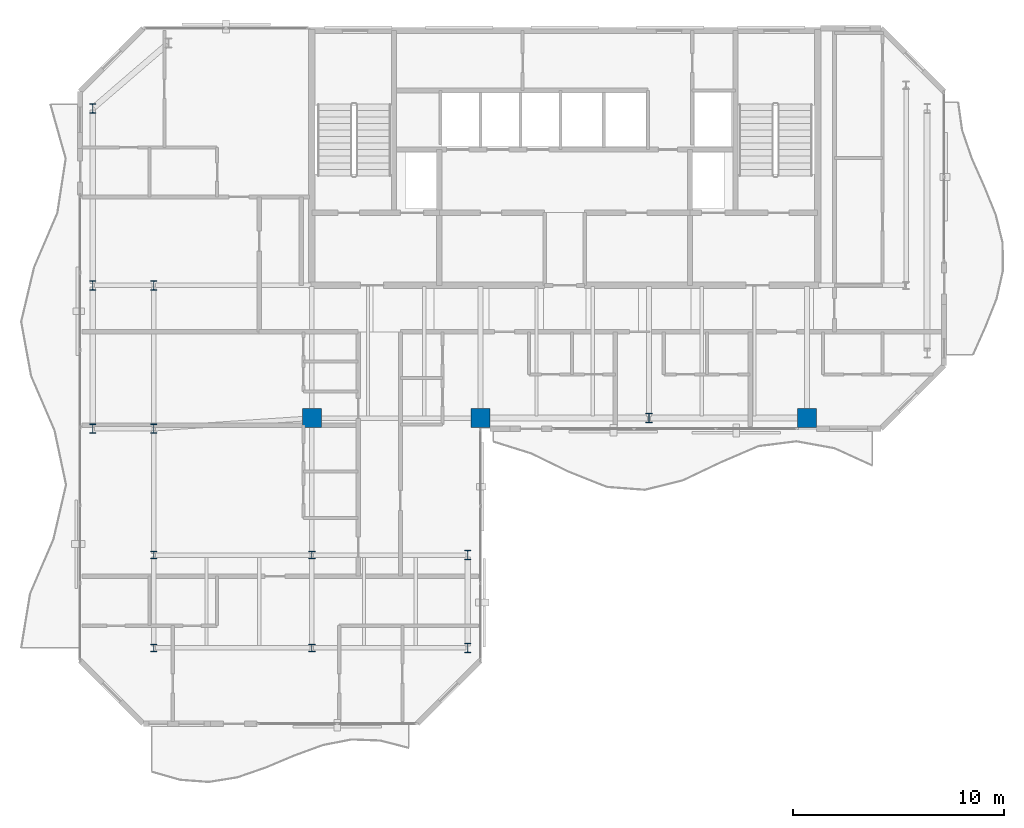
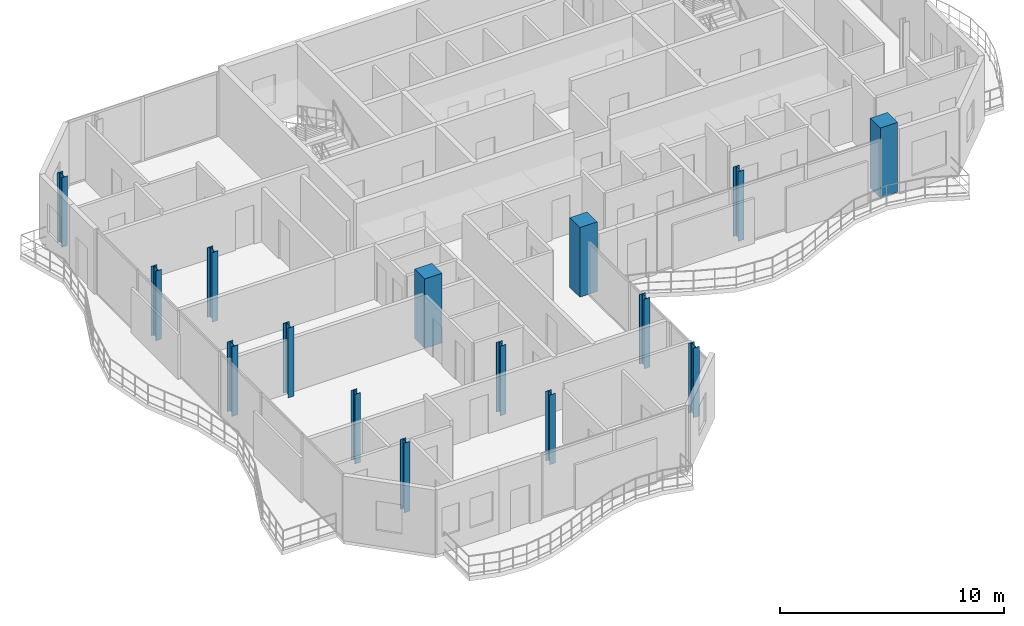
# One storey, part 1 of 22: 15 columns.
"""IFC4 building model written with IfcOpenShell, lengths in metres."""

from ifc_helpers import new_model, si_unit, direction, frame, origin, origin_2d, place, context, subcontext, project, spatial, rectangle, i_section, extrude, material, material_profile, profile_set, type_object, element, save


model = new_model("IFC4")

# Units and contexts
model_context = context("Model", 3, precision=1e-05, world=origin(), true_north=direction((0.0, 1.0)))
body_context = subcontext(model_context, "Body", "Model", "MODEL_VIEW")
ifc_project = project(units=[si_unit("LENGTHUNIT", "METRE"), si_unit("AREAUNIT", "SQUARE_METRE"), si_unit("VOLUMEUNIT", "CUBIC_METRE"), si_unit("PLANEANGLEUNIT", "RADIAN"), si_unit("MASSUNIT", "GRAM", prefix="KILO")], contexts=[model_context])

# Site, building, storey
site_placement = place(None, origin())
site = spatial("IfcSite", under=ifc_project, at=site_placement, CompositionType="ELEMENT")
building_placement = place(site_placement, origin())
building = spatial("IfcBuilding", under=site, at=building_placement, Name="Catumbela Crestline Tower", CompositionType="ELEMENT")
storey_placement = place(building_placement, frame((0.0, 0.0, 229.8)))
storey = spatial("IfcBuildingStorey", under=building, at=storey_placement, Name="L59", CompositionType="ELEMENT", Elevation=229.8)

# Columns
ifc_material_1 = material(Name="Concrete C45/55", Category="concrete")
ifc_material_profile_1 = material_profile(ifc_material_1, rectangle(XDim=0.9, YDim=0.9, at=origin_2d()), Name="RC 900x900")
ifc_profile_set_1 = profile_set([ifc_material_profile_1], Name="Concrete C45/55")
column_type_1 = type_object("IfcColumnType", Name="C-RC900-C45", PredefinedType="COLUMN", material=ifc_profile_set_1)
for number, where, z_axis, x_axis, name in (
    (1, (16.0, 24.5, 0.0), (0.0, 0.0, 1.0), (1.0, 0.0, 0.0), "L59 Column C-16-24 (RC 900x900)"),
    (2, (24.0, 24.5, 0.0), (0.0, 0.0, 1.0), (1.0, 0.0, 0.0), "L59 Column C-24-24 (RC 900x900)"),
    (3, (39.5, 24.5, 0.0), (0.0, 0.0, 1.0), (1.0, 0.0, 0.0), "L59 Column C-40-24 (RC 900x900)"),
):
    element("IfcColumn", number, at=place(storey_placement, frame(where, z_axis=z_axis, x_axis=x_axis)), inside=storey, type_object=column_type_1, Name=name, PredefinedType="COLUMN", context=body_context, shape_type="SweptSolid", body=[
        extrude(rectangle(XDim=0.9, YDim=0.9, at=origin_2d()), origin(), (0.0, 0.0, 1.0), 3.8),
    ])
ifc_material_2 = material(Name="Structural steel S355J2", Category="steel")
ifc_material_profile_2 = material_profile(ifc_material_2, i_section(OverallWidth=0.3, OverallDepth=0.36, WebThickness=0.0125, FlangeThickness=0.0225, FilletRadius=0.027, at=origin_2d()), Name="HEB 360")
ifc_profile_set_2 = profile_set([ifc_material_profile_2], Name="Structural steel S355J2")
column_type_2 = type_object("IfcColumnType", Name="C-ST-HEB360", PredefinedType="COLUMN", material=ifc_profile_set_2)
for number, where, z_axis, x_axis, name in (
    (4, (8.5, 13.6, 0.0), (0.0, 0.0, 1.0), (1.0, 0.0, 0.0), "L59 Column CT-05-10 (HEB 360)"),
    (5, (16.0, 13.6, 0.0), (0.0, 0.0, 1.0), (1.0, 0.0, 0.0), "L59 Column CT-14-10 (HEB 360)"),
    (6, (8.5, 18.0, 0.0), (0.0, 0.0, 1.0), (1.0, 0.0, 0.0), "L59 Column CT-05-16 (HEB 360)"),
    (7, (16.0, 18.0, 0.0), (0.0, 0.0, 1.0), (1.0, 0.0, 0.0), "L59 Column CT-14-16 (HEB 360)"),
):
    element("IfcColumn", number, at=place(storey_placement, frame(where, z_axis=z_axis, x_axis=x_axis)), inside=storey, type_object=column_type_2, Name=name, PredefinedType="COLUMN", context=body_context, shape_type="SweptSolid", body=[
        extrude(i_section(OverallWidth=0.3, OverallDepth=0.36, WebThickness=0.0125, FlangeThickness=0.0225, FilletRadius=0.027, at=origin_2d()), origin(), (0.0, 0.0, 1.0), 3.8),
    ])
ifc_material_profile_3 = material_profile(ifc_material_2, i_section(OverallWidth=0.3, OverallDepth=0.45, WebThickness=0.014, FlangeThickness=0.026, FilletRadius=0.027, at=origin_2d()), Name="HEB 450")
ifc_profile_set_3 = profile_set([ifc_material_profile_3], Name="Structural steel S355J2")
column_type_3 = type_object("IfcColumnType", Name="C-ST-HEB450", PredefinedType="COLUMN", material=ifc_profile_set_3)
for number, where, z_axis, x_axis, name in (
    (8, (8.5, 24.0, 0.0), (0.0, 0.0, 1.0), (1.0, 0.0, 0.0), "L59 Column C-08-24 (HEB 450)"),
    (9, (32.0, 24.5, 0.0), (0.0, 0.0, 1.0), (1.0, 0.0, 0.0), "L59 Column C-32-24 (HEB 450)"),
    (10, (5.6, 24.0, 0.0), (0.0, 0.0, 1.0), (1.0, 0.0, 0.0), "L59 Column C-05-24 (HEB 450)"),
    (11, (5.6, 30.8, 0.0), (0.0, 0.0, 1.0), (1.0, 0.0, 0.0), "L59 Column C-05-31 (HEB 450)"),
    (12, (5.6, 39.2, 0.0), (0.0, 0.0, 1.0), (1.0, 0.0, 0.0), "L59 Column C-05-43 (HEB 450)"),
    (13, (8.5, 30.8, 0.0), (0.0, 0.0, 1.0), (1.0, 0.0, 0.0), "L59 Column C-08-31 (HEB 450)"),
    (14, (23.4, 13.6, 0.0), (0.0, 0.0, 1.0), (1.0, 0.0, 0.0), "L59 Column C-24-10 (HEB 450)"),
    (15, (23.4, 18.0, 0.0), (0.0, 0.0, 1.0), (1.0, 0.0, 0.0), "L59 Column C-24-16 (HEB 450)"),
):
    element("IfcColumn", number, at=place(storey_placement, frame(where, z_axis=z_axis, x_axis=x_axis)), inside=storey, type_object=column_type_3, Name=name, PredefinedType="COLUMN", context=body_context, shape_type="SweptSolid", body=[
        extrude(i_section(OverallWidth=0.3, OverallDepth=0.45, WebThickness=0.014, FlangeThickness=0.026, FilletRadius=0.027, at=origin_2d()), origin(), (0.0, 0.0, 1.0), 3.8),
    ])

save(model, "model.ifc")
